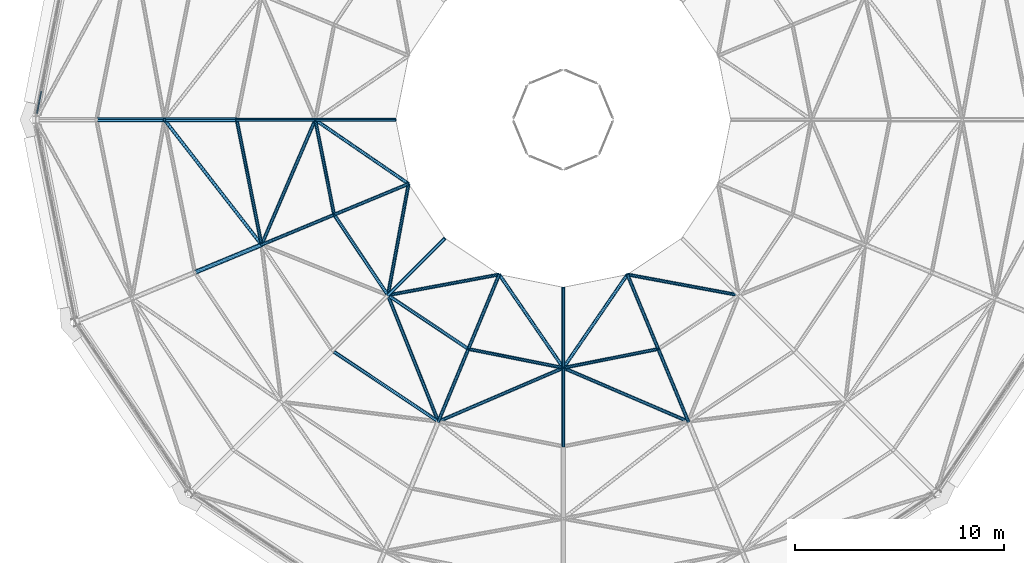
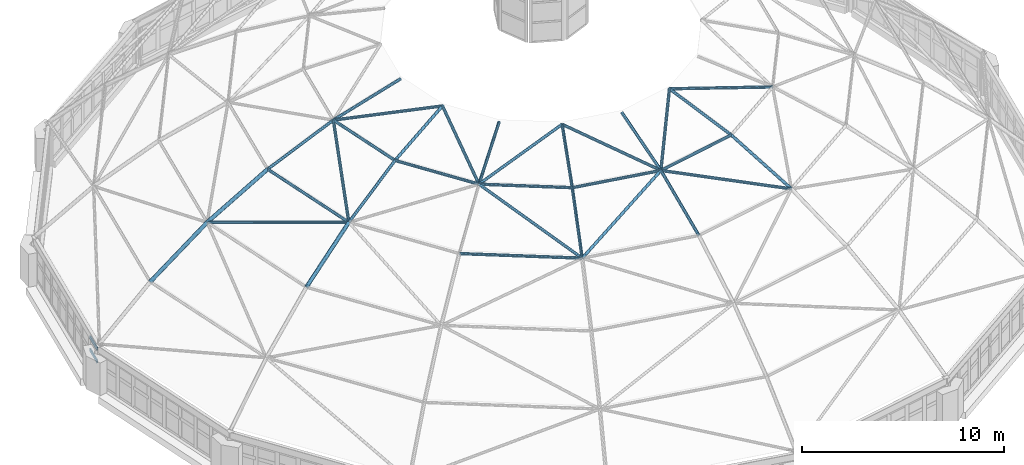
# One storey, part 17 of 68: 34 members, 1 element without a shape of its own.
"""IFC4 building model written with IfcOpenShell, lengths in metres."""

from ifc_helpers import new_model, si_unit, direction, frame, origin, origin_2d, place, context, subcontext, project, spatial, rectangle, hollow_circle, extrude, material, material_profile, profile_set, type_object, element, aggregate, save


model = new_model("IFC4")

# Units and contexts
model_context = context("Model", 3, precision=1e-05, world=origin(), true_north=direction((0.0, 1.0)))
body_context = subcontext(model_context, "Body", "Model", "MODEL_VIEW")
ifc_project = project(units=[si_unit("LENGTHUNIT", "METRE"), si_unit("AREAUNIT", "SQUARE_METRE"), si_unit("VOLUMEUNIT", "CUBIC_METRE"), si_unit("PLANEANGLEUNIT", "RADIAN"), si_unit("MASSUNIT", "GRAM", prefix="KILO")], contexts=[model_context])

# Site, building, storey
site_placement = place(None, origin())
site = spatial("IfcSite", under=ifc_project, at=site_placement, CompositionType="ELEMENT")
building_placement = place(site_placement, origin())
building = spatial("IfcBuilding", under=site, at=building_placement, Name="Kupolbacken Congress Centre", CompositionType="ELEMENT")
storey_placement = place(building_placement, frame((0.0, 0.0, 25.199951171875)))
storey = spatial("IfcBuildingStorey", under=building, at=storey_placement, Name="L07", CompositionType="ELEMENT", Elevation=25.199951171875)

# Members
ifc_material_1 = material(Name="Steel S355", Category="steel")
ifc_material_profile_1 = material_profile(ifc_material_1, hollow_circle(Radius=0.109619140625, WallThickness=0.010009765625, at=origin_2d()), Name="CHS 219.1 x 10")
ifc_profile_set_1 = profile_set([ifc_material_profile_1], Name="Steel S355")
member_type_1 = type_object("IfcMemberType", Name="M15 dome rib CHS 219.1 x 10", PredefinedType="BRACE", material=ifc_profile_set_1)
member_1_placement = place(storey_placement, frame((20.89990234375, 86.39990234375, 5.60009765625), z_axis=(0.798529155013, 0.0, 0.601956135108), x_axis=(0.0, 1.0, 0.0)))
element("IfcMember", 1, at=member_1_placement, inside=storey, type_object=member_type_1, Name="DM/RIB02-09", PredefinedType="BRACE", context=body_context, shape_type="SweptSolid", body=[
    extrude(hollow_circle(Radius=0.109619140625, WallThickness=0.010009765625, at=origin_2d()), origin(), (0.0, 0.0, 1.0), 4.070068359375),
])
member_2_placement = place(storey_placement, frame((24.14990234375, 86.39990234375, 8.050048828125), z_axis=(0.865152320149, 0.0, 0.5015091853), x_axis=(0.0, 1.0, 0.0)))
element("IfcMember", 2, at=member_2_placement, inside=storey, type_object=member_type_1, Name="DM/RIB03-09", PredefinedType="BRACE", context=body_context, shape_type="SweptSolid", body=[
    extrude(hollow_circle(Radius=0.109619140625, WallThickness=0.010009765625, at=origin_2d()), origin(), (0.0, 0.0, 1.0), 3.988037109375),
])
member_3_placement = place(storey_placement, frame((25.60009765625, 79.10986328125, 8.050048828125), z_axis=(0.799291982933, 0.331079277244, 0.501516538311), x_axis=(-0.38268510723, 0.923878838758, 0.0)))
element("IfcMember", 3, at=member_3_placement, inside=storey, type_object=member_type_1, Name="DM/RIB03-10", PredefinedType="BRACE", context=body_context, shape_type="SweptSolid", body=[
    extrude(hollow_circle(Radius=0.109619140625, WallThickness=0.010009765625, at=origin_2d()), origin(), (0.0, 0.0, 1.0), 3.98779296875),
])
ifc_material_2 = material(Name="Steel S355", Category="steel")
ifc_material_profile_2 = material_profile(ifc_material_2, hollow_circle(Radius=0.084228515625, WallThickness=0.008056640625, at=origin_2d()), Name="CHS 168.3 x 8")
ifc_profile_set_2 = profile_set([ifc_material_profile_2], Name="Steel S355")
member_type_2 = type_object("IfcMemberType", Name="M16 dome rib CHS 168.3 x 8", PredefinedType="BRACE", material=ifc_profile_set_2)
member_4_placement = place(storey_placement, frame((27.60009765625, 86.39990234375, 10.050048828125), z_axis=(0.91532381914, 0.0, 0.402718643864), x_axis=(0.0, 1.0, 0.0)))
element("IfcMember", 4, at=member_4_placement, inside=storey, type_object=member_type_2, Name="DM/RIB04-09", PredefinedType="BRACE", context=body_context, shape_type="SweptSolid", body=[
    extrude(hollow_circle(Radius=0.084228515625, WallThickness=0.008056640625, at=origin_2d()), origin(), (0.0, 0.0, 1.0), 4.096923828125),
])
member_5_placement = place(storey_placement, frame((28.78759765625, 80.43017578125, 10.050048828125), z_axis=(0.84563584583, 0.350292283424, 0.402734816499), x_axis=(-0.382700634776, 0.923872406852, 0.0)))
element("IfcMember", 5, at=member_5_placement, inside=storey, type_object=member_type_2, Name="DM/RIB04-10", PredefinedType="BRACE", context=body_context, shape_type="SweptSolid", body=[
    extrude(hollow_circle(Radius=0.084228515625, WallThickness=0.008056640625, at=origin_2d()), origin(), (0.0, 0.0, 1.0), 4.0966796875),
])
for number, where, z_axis, x_axis, name in (
    (6, (37.230224609375, 71.987548828125, 10.050048828125), (0.350274631282, 0.845652822818, 0.402714521641), (-0.92388194159, 0.382677616283, 0.0), "DM/RIB04-12"),
    (7, (43.199951171875, 70.800048828125, 10.050048828125), (0.0, 0.91532381914, 0.402718643864), (-1.0, 0.0, 0.0), "DM/RIB04-13"),
    (8, (49.169921875, 71.987548828125, 10.050048828125), (-0.350274631282, 0.845652822818, 0.402714521641), (-0.92388194159, -0.382677616283, 0.0), "DM/RIB04-14"),
):
    element("IfcMember", number, at=place(storey_placement, frame(where, z_axis=z_axis, x_axis=x_axis)), inside=storey, type_object=member_type_2, Name=name, PredefinedType="BRACE", context=body_context, shape_type="SweptSolid", body=[
        extrude(hollow_circle(Radius=0.084228515625, WallThickness=0.008056640625, at=origin_2d()), origin(), (0.0, 0.0, 1.0), 4.096923828125),
    ])
member_6_placement = place(storey_placement, frame((31.35009765625, 86.39990234375, 11.699951171875), z_axis=(0.958155108057, 0.0, 0.286249522104), x_axis=(0.0, 1.0, 0.0)))
element("IfcMember", 9, at=member_6_placement, inside=storey, type_object=member_type_2, Name="DM/RIB05-09", PredefinedType="BRACE", context=body_context, shape_type="SweptSolid", body=[
    extrude(hollow_circle(Radius=0.084228515625, WallThickness=0.008056640625, at=origin_2d()), origin(), (0.0, 0.0, 1.0), 4.01806640625),
])
for number, where, z_axis, x_axis, name in (
    (10, (32.251953125, 81.865234375, 11.699951171875), (0.885228388682, 0.366668038826, 0.286225870905), (-0.382678474425, 0.923881586142, 0.0), "DM/RIB05-10"),
    (11, (34.82080078125, 78.020751953125, 11.699951171875), (0.677521126478, 0.677521126478, 0.286234600201), (-0.707106781187, 0.707106781187, 0.0), "DM/RIB05-11"),
):
    element("IfcMember", number, at=place(storey_placement, frame(where, z_axis=z_axis, x_axis=x_axis)), inside=storey, type_object=member_type_2, Name=name, PredefinedType="BRACE", context=body_context, shape_type="SweptSolid", body=[
        extrude(hollow_circle(Radius=0.084228515625, WallThickness=0.008056640625, at=origin_2d()), origin(), (0.0, 0.0, 1.0), 4.018310546875),
    ])
for number, where, z_axis, x_axis, name in (
    (12, (38.665283203125, 75.4521484375, 11.699951171875), (0.366635168384, 0.88523496324, 0.286247643066), (-0.923894719297, 0.382646766164, 0.0), "DM/RIB05-12"),
    (13, (43.199951171875, 74.550048828125, 11.699951171875), (0.0, 0.958155108057, 0.286249522104), (-1.0, 0.0, 0.0), "DM/RIB05-13"),
    (14, (47.73486328125, 75.4521484375, 11.699951171875), (-0.366687760524, 0.885215241603, 0.28624126592), (-0.923872299408, -0.382700894154, 0.0), "DM/RIB05-14"),
):
    element("IfcMember", number, at=place(storey_placement, frame(where, z_axis=z_axis, x_axis=x_axis)), inside=storey, type_object=member_type_2, Name=name, PredefinedType="BRACE", context=body_context, shape_type="SweptSolid", body=[
        extrude(hollow_circle(Radius=0.084228515625, WallThickness=0.008056640625, at=origin_2d()), origin(), (0.0, 0.0, 1.0), 4.01806640625),
    ])
member_7_placement = place(storey_placement, frame((24.14990234375, 86.39990234375, 8.050048828125), z_axis=(0.593087415289, -0.763433011089, 0.255768167301), x_axis=(0.789699892953, 0.613493340689, 0.0)))
element("IfcMember", 15, at=member_7_placement, inside=storey, type_object=member_type_2, Name="DM/DIA03-09", PredefinedType="BRACE", context=body_context, shape_type="SweptSolid", body=[
    extrude(hollow_circle(Radius=0.084228515625, WallThickness=0.008056640625, at=origin_2d()), origin(), (0.0, 0.0, 1.0), 7.819580078125),
])
member_8_placement = place(storey_placement, frame((31.35009765625, 86.39990234375, 11.699951171875), z_axis=(-0.38230848602, -0.890644731342, -0.246154796925), x_axis=(0.91891939619, -0.394445361623, 0.0)))
element("IfcMember", 16, at=member_8_placement, inside=storey, type_object=member_type_2, Name="DM/DIA04-09", PredefinedType="BRACE", context=body_context, shape_type="SweptSolid", body=[
    extrude(hollow_circle(Radius=0.084228515625, WallThickness=0.008056640625, at=origin_2d()), origin(), (0.0, 0.0, 1.0), 6.70263671875),
])
member_9_placement = place(storey_placement, frame((34.82080078125, 78.020751953125, 11.699951171875), z_axis=(0.359467220562, -0.900106794461, -0.246152546009), x_axis=(0.928681296952, 0.370878752008, 0.0)))
element("IfcMember", 17, at=member_9_placement, inside=storey, type_object=member_type_2, Name="DM/DIA04-11", PredefinedType="BRACE", context=body_context, shape_type="SweptSolid", body=[
    extrude(hollow_circle(Radius=0.084228515625, WallThickness=0.008056640625, at=origin_2d()), origin(), (0.0, 0.0, 1.0), 6.702880859375),
])
member_10_placement = place(storey_placement, frame((37.230224609375, 71.987548828125, 10.050048828125), z_axis=(0.890644731342, 0.38230848602, 0.246154796925), x_axis=(-0.394445361623, 0.91891939619, 0.0)))
element("IfcMember", 18, at=member_10_placement, inside=storey, type_object=member_type_2, Name="DM/DIA04-12", PredefinedType="BRACE", context=body_context, shape_type="SweptSolid", body=[
    extrude(hollow_circle(Radius=0.084228515625, WallThickness=0.008056640625, at=origin_2d()), origin(), (0.0, 0.0, 1.0), 6.70263671875),
])
member_11_placement = place(storey_placement, frame((43.199951171875, 74.550048828125, 11.699951171875), z_axis=(0.890652261752, -0.38229608389, -0.246146811635), x_axis=(0.394431740476, 0.918925242936, 0.0)))
element("IfcMember", 19, at=member_11_placement, inside=storey, type_object=member_type_2, Name="DM/DIA04-13", PredefinedType="BRACE", context=body_context, shape_type="SweptSolid", body=[
    extrude(hollow_circle(Radius=0.084228515625, WallThickness=0.008056640625, at=origin_2d()), origin(), (0.0, 0.0, 1.0), 6.702880859375),
])
member_12_placement = place(storey_placement, frame((31.35009765625, 86.39990234375, 11.699951171875), z_axis=(0.806380220588, -0.553613753063, 0.207997000613), x_axis=(0.565992308396, 0.824410520819, 0.0)))
element("IfcMember", 20, at=member_12_placement, inside=storey, type_object=member_type_2, Name="DM/DIA05-09", PredefinedType="BRACE", context=body_context, shape_type="SweptSolid", body=[
    extrude(hollow_circle(Radius=0.084228515625, WallThickness=0.008056640625, at=origin_2d()), origin(), (0.0, 0.0, 1.0), 5.529541015625),
])
member_13_placement = place(storey_placement, frame((35.80908203125, 83.338623046875, 12.85009765625), z_axis=(-0.178717408763, -0.961665661482, -0.207988565386), x_axis=(0.983166271626, -0.182713114845, 0.0)))
element("IfcMember", 21, at=member_13_placement, inside=storey, type_object=member_type_2, Name="DM/DIA05-10", PredefinedType="BRACE", context=body_context, shape_type="SweptSolid", body=[
    extrude(hollow_circle(Radius=0.084228515625, WallThickness=0.008056640625, at=origin_2d()), origin(), (0.0, 0.0, 1.0), 5.52978515625),
])
member_14_placement = place(storey_placement, frame((34.82080078125, 78.020751953125, 11.699951171875), z_axis=(0.961662341261, 0.178724996898, 0.20799739634), x_axis=(-0.182721223425, 0.983164764681, 0.0)))
element("IfcMember", 22, at=member_14_placement, inside=storey, type_object=member_type_2, Name="DM/DIA05-11", PredefinedType="BRACE", context=body_context, shape_type="SweptSolid", body=[
    extrude(hollow_circle(Radius=0.084228515625, WallThickness=0.008056640625, at=origin_2d()), origin(), (0.0, 0.0, 1.0), 5.529541015625),
])
for number, where, z_axis, x_axis, name in (
    (23, (40.138427734375, 79.009033203125, 12.85009765625), (0.553644371422, -0.806360510339, -0.207991916569), (0.824389458685, 0.56602298576, 0.0), "DM/DIA05-12"),
    (24, (43.199951171875, 74.550048828125, 11.699951171875), (0.553644371422, 0.806360510339, 0.207991916569), (-0.824389458685, 0.56602298576, 0.0), "DM/DIA05-13"),
):
    element("IfcMember", number, at=place(storey_placement, frame(where, z_axis=z_axis, x_axis=x_axis)), inside=storey, type_object=member_type_2, Name=name, PredefinedType="BRACE", context=body_context, shape_type="SweptSolid", body=[
        extrude(hollow_circle(Radius=0.084228515625, WallThickness=0.008056640625, at=origin_2d()), origin(), (0.0, 0.0, 1.0), 5.52978515625),
    ])
member_15_placement = place(storey_placement, frame((46.261474609375, 79.009033203125, 12.85009765625), z_axis=(0.961662341261, -0.178724996898, -0.20799739634), x_axis=(0.182721223425, 0.983164764681, 0.0)))
element("IfcMember", 25, at=member_15_placement, inside=storey, type_object=member_type_2, Name="DM/DIA05-14", PredefinedType="BRACE", context=body_context, shape_type="SweptSolid", body=[
    extrude(hollow_circle(Radius=0.084228515625, WallThickness=0.008056640625, at=origin_2d()), origin(), (0.0, 0.0, 1.0), 5.529541015625),
])
ifc_material_3 = material(Name="Steel S355", Category="steel")
ifc_material_profile_3 = material_profile(ifc_material_3, hollow_circle(Radius=0.084228515625, WallThickness=0.008056640625, at=origin_2d()), Name="CHS 168.3 x 8")
ifc_profile_set_3 = profile_set([ifc_material_profile_3], Name="Steel S355")
member_type_3 = type_object("IfcMemberType", Name="M17 dome ring CHS 168.3 x 8", PredefinedType="BRACE", material=ifc_profile_set_3)
member_16_placement = place(storey_placement, frame((27.60009765625, 86.39990234375, 10.050048828125), z_axis=(0.195097837889, -0.980783785373, 0.0), x_axis=(0.980783785373, 0.195097837889, 0.0)))
element("IfcMember", 26, at=member_16_placement, inside=storey, type_object=member_type_3, Name="DM/RNG03-09", PredefinedType="BRACE", context=body_context, shape_type="SweptSolid", body=[
    extrude(hollow_circle(Radius=0.084228515625, WallThickness=0.008056640625, at=origin_2d()), origin(), (0.0, 0.0, 1.0), 6.086669921875),
])
member_17_placement = place(storey_placement, frame((32.169189453125, 75.369140625, 10.050048828125), z_axis=(0.831475970497, -0.555560717191, 0.0), x_axis=(0.555560717191, 0.831475970497, 0.0)))
element("IfcMember", 27, at=member_17_placement, inside=storey, type_object=member_type_3, Name="DM/RNG03-11", PredefinedType="BRACE", context=body_context, shape_type="SweptSolid", body=[
    extrude(hollow_circle(Radius=0.084228515625, WallThickness=0.008056640625, at=origin_2d()), origin(), (0.0, 0.0, 1.0), 6.0869140625),
])
member_18_placement = place(storey_placement, frame((31.35009765625, 86.39990234375, 11.699951171875), z_axis=(0.195059930813, -0.9807913251, 0.0), x_axis=(0.9807913251, 0.195059930813, 0.0)))
element("IfcMember", 28, at=member_18_placement, inside=storey, type_object=member_type_3, Name="DM/RNG04-09", PredefinedType="BRACE", context=body_context, shape_type="SweptSolid", body=[
    extrude(hollow_circle(Radius=0.084228515625, WallThickness=0.008056640625, at=origin_2d()), origin(), (0.0, 0.0, 1.0), 4.62353515625),
])
member_19_placement = place(storey_placement, frame((32.251953125, 81.865234375, 11.699951171875), z_axis=(0.555577204826, -0.831464953848, 0.0), x_axis=(0.831464953848, 0.555577204826, 0.0)))
element("IfcMember", 29, at=member_19_placement, inside=storey, type_object=member_type_3, Name="DM/RNG04-10", PredefinedType="BRACE", context=body_context, shape_type="SweptSolid", body=[
    extrude(hollow_circle(Radius=0.084228515625, WallThickness=0.008056640625, at=origin_2d()), origin(), (0.0, 0.0, 1.0), 4.623779296875),
])
for number, where, z_axis, x_axis, name in (
    (30, (34.82080078125, 78.020751953125, 11.699951171875), (0.831489345037, -0.555540699761, 0.0), (0.555540699761, 0.831489345037, 0.0), "DM/RNG04-11"),
    (31, (38.665283203125, 75.4521484375, 11.699951171875), (0.980781221691, -0.195110725431, 0.0), (0.195110725431, 0.980781221691, 0.0), "DM/RNG04-12"),
):
    element("IfcMember", number, at=place(storey_placement, frame(where, z_axis=z_axis, x_axis=x_axis)), inside=storey, type_object=member_type_3, Name=name, PredefinedType="BRACE", context=body_context, shape_type="SweptSolid", body=[
        extrude(hollow_circle(Radius=0.084228515625, WallThickness=0.008056640625, at=origin_2d()), origin(), (0.0, 0.0, 1.0), 4.62353515625),
    ])
member_20_placement = place(storey_placement, frame((43.199951171875, 74.550048828125, 11.699951171875), z_axis=(0.980783231687, 0.195100621324, 0.0), x_axis=(-0.195100621324, 0.980783231687, 0.0)))
element("IfcMember", 32, at=member_20_placement, inside=storey, type_object=member_type_3, Name="DM/RNG04-13", PredefinedType="BRACE", context=body_context, shape_type="SweptSolid", body=[
    extrude(hollow_circle(Radius=0.084228515625, WallThickness=0.008056640625, at=origin_2d()), origin(), (0.0, 0.0, 1.0), 4.623779296875),
])

# Curtain wall, members
ifc_material_4 = material(Name="Aluminium mullion-transom frame with glass", Category="aluminium")
curtain_wall_type = type_object("IfcCurtainWallType", Name="CW3 curtain wall 9830x3600", PredefinedType="NOTDEFINED", material=ifc_material_4)
curtain_wall_placement = place(storey_placement, origin())
curtain_wall = element("IfcCurtainWall", 33, at=curtain_wall_placement, inside=storey, type_object=curtain_wall_type, Name="E/P/drum/cw/L07/15", PredefinedType="NOTDEFINED")
ifc_material_5 = material(Name="Aluminium alloy", Category="aluminium")
ifc_material_profile_4 = material_profile(ifc_material_5, rectangle(XDim=0.06005859375, YDim=0.199951171875, at=origin_2d()), Name="60 x 200")
ifc_profile_set_4 = profile_set([ifc_material_profile_4], Name="Aluminium alloy")
member_type_4 = type_object("IfcMemberType", Name="TR3 transom 60x200", PredefinedType="MULLION", material=ifc_profile_set_4)
member_21_placement = place(storey_placement, frame((18.267822265625, 87.7607421875, 1.60009765625), z_axis=(-0.193150665626, -0.981169108955, 0.0), x_axis=(0.981169108955, -0.193150665626, 0.0)))
member_21 = element("IfcMember", 34, at=member_21_placement, type_object=member_type_4, Name="CW3 transom 8.2", PredefinedType="MULLION", context=body_context, shape_type="SweptSolid", body=[
    extrude(rectangle(XDim=0.06005859375, YDim=0.199951171875, at=origin_2d()), origin(), (0.0, 0.0, 1.0), 1.076904296875),
])
member_22_placement = place(storey_placement, frame((18.267822265625, 87.7607421875, 2.360107421875), z_axis=(-0.193150665626, -0.981169108955, 0.0), x_axis=(0.981169108955, -0.193150665626, 0.0)))
member_22 = element("IfcMember", 35, at=member_22_placement, type_object=member_type_4, Name="CW3 transom 8.3", PredefinedType="MULLION", context=body_context, shape_type="SweptSolid", body=[
    extrude(rectangle(XDim=0.06005859375, YDim=0.199951171875, at=origin_2d()), origin(), (0.0, 0.0, 1.0), 1.076904296875),
])
aggregate(curtain_wall, [member_21, member_22])

save(model, "model.ifc")
